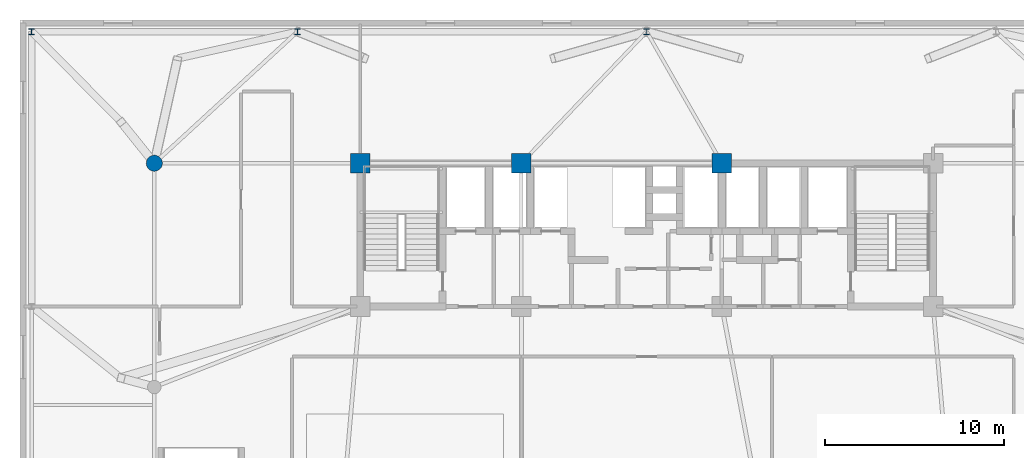
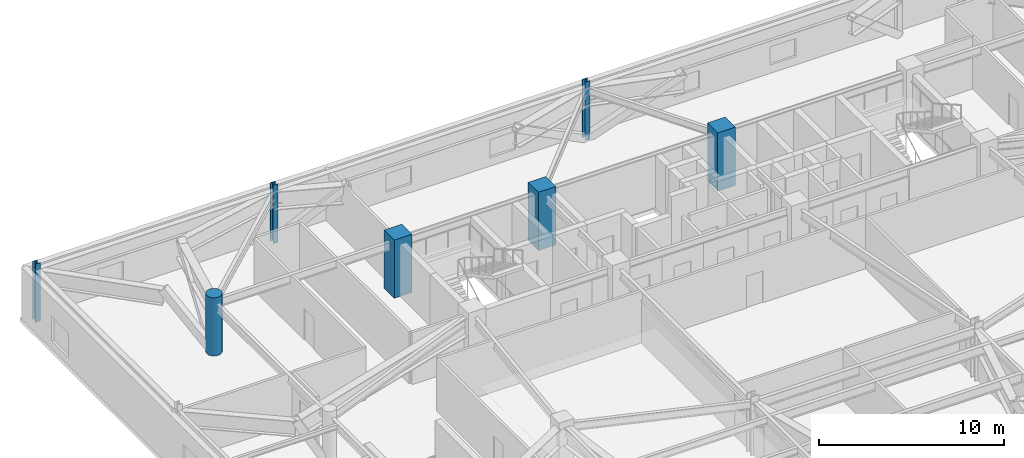
# One storey, part 3 of 27: 7 columns.
"""IFC4 building model written with IfcOpenShell, lengths in metres."""

from ifc_helpers import new_model, si_unit, direction, frame, origin, origin_2d, place, context, subcontext, project, spatial, rectangle, circle, i_section, extrude, source, transform, mapped, material, material_profile, profile_set, type_object, element, save


model = new_model("IFC4")

# Units and contexts
model_context = context("Model", 3, precision=1e-05, world=origin(), true_north=direction((0.0, 1.0)))
body_context = subcontext(model_context, "Body", "Model", "MODEL_VIEW")
ifc_project = project(units=[si_unit("LENGTHUNIT", "METRE"), si_unit("AREAUNIT", "SQUARE_METRE"), si_unit("VOLUMEUNIT", "CUBIC_METRE"), si_unit("PLANEANGLEUNIT", "RADIAN"), si_unit("MASSUNIT", "GRAM", prefix="KILO")], contexts=[model_context])

# Site, building, storey
site_placement = place(None, origin())
site = spatial("IfcSite", under=ifc_project, at=site_placement, CompositionType="ELEMENT")
building_placement = place(site_placement, origin())
building = spatial("IfcBuilding", under=site, at=building_placement, Name="Taldren Reach Tower", CompositionType="ELEMENT")
storey_placement = place(building_placement, frame((0.0, 0.0, 12.949951171875)))
storey = spatial("IfcBuildingStorey", under=building, at=storey_placement, Name="L03", CompositionType="ELEMENT", Elevation=12.949951171875)

# Columns
ifc_material_1 = material(Name="Concrete S100 (100 MPa)", Category="concrete")
ifc_material_profile_1 = material_profile(ifc_material_1, rectangle(XDim=1.10009765625, YDim=1.10009765625, at=origin_2d()), Name="RC-1100x1100")
ifc_profile_set_1 = profile_set([ifc_material_profile_1], Name="Concrete S100 (100 MPa)")
column_type_1 = type_object("IfcColumnType", Name="COL-RC1100", PredefinedType="COLUMN", material=ifc_profile_set_1)
shared_shape_1 = source(origin(), body_context, "Body", "SweptSolid", [
    extrude(rectangle(XDim=1.10009765625, YDim=1.10009765625, at=origin_2d()), origin(), (0.0, 0.0, 1.0), 3.85009765625),
])
for number, where, z_axis, x_axis, name in (
    (1, (19.0, 32.0, 0.0), (0.0, 0.0, 1.0), (1.0, 0.0, 0.0), "Mega column MC-C5 L03"),
    (2, (28.0, 32.0, 0.0), (0.0, 0.0, 1.0), (1.0, 0.0, 0.0), "Mega column MC-C6 L03"),
    (3, (39.199951171875, 32.0, 0.0), (0.0, 0.0, 1.0), (1.0, 0.0, 0.0), "Mega column MC-C7 L03"),
):
    element("IfcColumn", number, at=place(storey_placement, frame(where, z_axis=z_axis, x_axis=x_axis)), inside=storey, type_object=column_type_1, Name=name, PredefinedType="COLUMN", context=body_context, shape_type="MappedRepresentation", body=[
        mapped(shared_shape_1, transform((0.0, 0.0, 0.0), scale=1.0)),
    ])
ifc_material_2 = material(Name="Concrete S80 (80 MPa)", Category="concrete")
ifc_material_profile_2 = material_profile(ifc_material_2, circle(Radius=0.449951171875, at=origin_2d()), Name="RC-900D")
ifc_profile_set_2 = profile_set([ifc_material_profile_2], Name="Concrete S80 (80 MPa)")
column_type_2 = type_object("IfcColumnType", Name="COL-RCD900", PredefinedType="COLUMN", material=ifc_profile_set_2)
shared_shape_2 = source(origin(), body_context, "Body", "SweptSolid", [
    extrude(circle(Radius=0.449951171875, at=origin_2d()), origin(), (0.0, 0.0, 1.0), 3.85009765625),
])
column_placement = place(storey_placement, frame((7.5, 32.0, 0.0), z_axis=(0.0, 0.0, 1.0), x_axis=(1.0, 0.0, 0.0)))
element("IfcColumn", 4, at=column_placement, inside=storey, type_object=column_type_2, Name="Podium structural column PG-3 L03", PredefinedType="COLUMN", context=body_context, shape_type="MappedRepresentation", body=[
    mapped(shared_shape_2, transform((0.0, 0.0, 0.0), scale=1.0)),
])
ifc_material_3 = material(Name="Steel Gr 350 (350PLUS)", Category="steel")
ifc_material_profile_3 = material_profile(ifc_material_3, i_section(OverallWidth=0.31103515625, OverallDepth=0.326904296875, WebThickness=0.015625, FlangeThickness=0.02490234375, at=origin_2d()), Name="310UC158")
ifc_profile_set_3 = profile_set([ifc_material_profile_3], Name="Steel Gr 350 (350PLUS)")
column_type_3 = type_object("IfcColumnType", Name="COL-UC310A", PredefinedType="COLUMN", material=ifc_profile_set_3)
shared_shape_3 = source(origin(), body_context, "Body", "SweptSolid", [
    extrude(i_section(OverallWidth=0.31103515625, OverallDepth=0.326904296875, WebThickness=0.015625, FlangeThickness=0.02490234375, at=origin_2d()), origin(), (0.0, 0.0, 1.0), 3.85009765625),
])
for number, where, z_axis, x_axis, name in (
    (5, (0.64990234375, 39.35009765625, 0.0), (0.0, 0.0, 1.0), (1.0, 0.0, 0.0), "Podium structural column PP-W4 L03"),
    (6, (15.5, 39.35009765625, 0.0), (0.0, 0.0, 1.0), (1.0, 0.0, 0.0), "Podium structural column PP-N1 L03"),
    (7, (35.0, 39.35009765625, 0.0), (0.0, 0.0, 1.0), (1.0, 0.0, 0.0), "Podium structural column PP-N2 L03"),
):
    element("IfcColumn", number, at=place(storey_placement, frame(where, z_axis=z_axis, x_axis=x_axis)), inside=storey, type_object=column_type_3, Name=name, PredefinedType="COLUMN", context=body_context, shape_type="MappedRepresentation", body=[
        mapped(shared_shape_3, transform((0.0, 0.0, 0.0), scale=1.0)),
    ])

save(model, "model.ifc")
